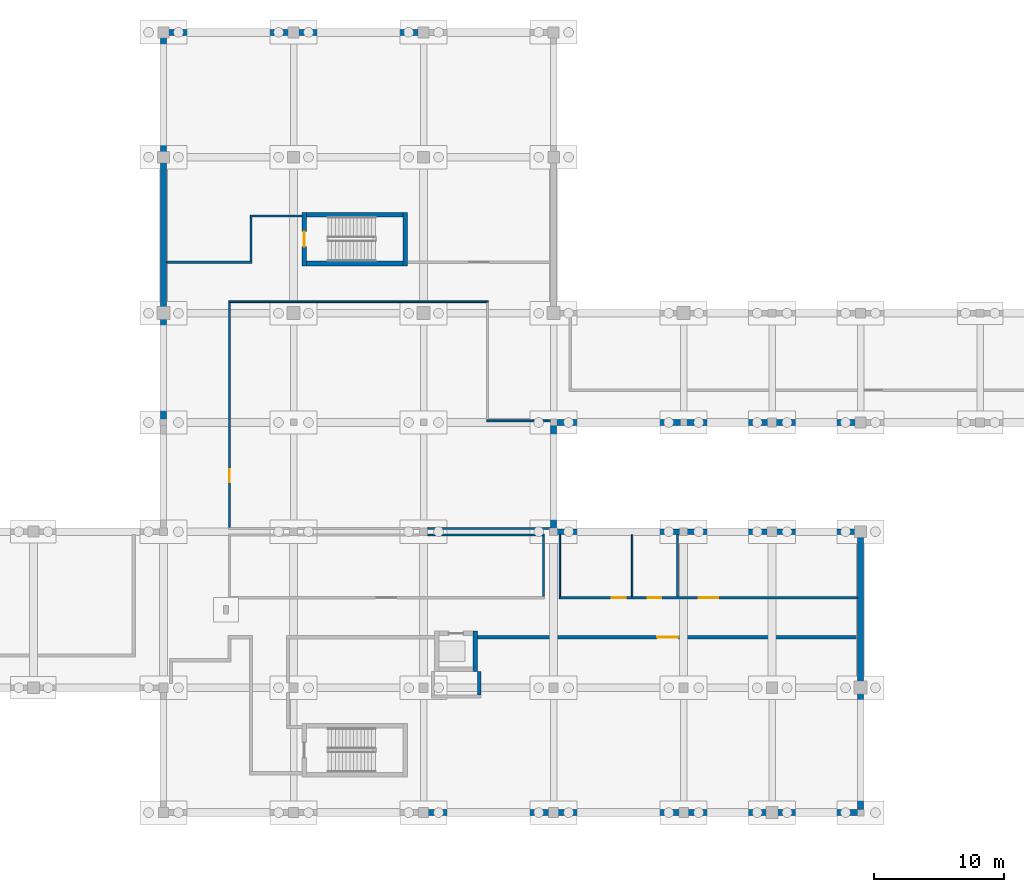
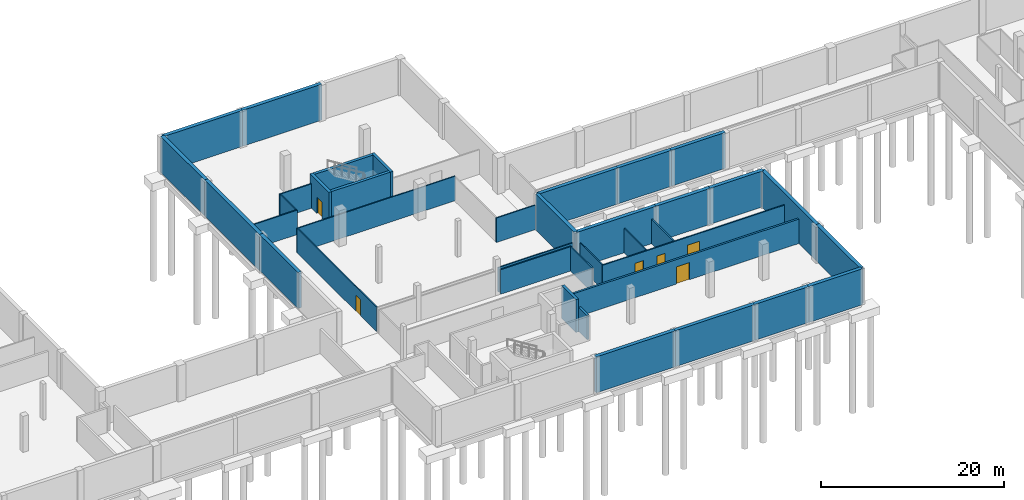
# One storey, part 16 of 28: 38 walls, 6 doors, 6 openings.
"""IFC4 building model written with IfcOpenShell, lengths in metres."""

from ifc_helpers import new_model, si_unit, direction, frame, frame_2d, origin, place, context, subcontext, project, spatial, rectangle, extrude, material, layer, layer_set, type_object, element, fill, save


model = new_model("IFC4")

# Units and contexts
model_context = context("Model", 3, precision=1e-05, world=origin(), true_north=direction((0.0, 1.0)))
body_context = subcontext(model_context, "Body", "Model", "MODEL_VIEW")
ifc_project = project(units=[si_unit("LENGTHUNIT", "METRE"), si_unit("AREAUNIT", "SQUARE_METRE"), si_unit("VOLUMEUNIT", "CUBIC_METRE"), si_unit("PLANEANGLEUNIT", "RADIAN"), si_unit("MASSUNIT", "GRAM", prefix="KILO")], contexts=[model_context])

# Site, building, storey
site_placement = place(None, origin())
site = spatial("IfcSite", under=ifc_project, at=site_placement, CompositionType="ELEMENT")
building_placement = place(site_placement, origin())
building = spatial("IfcBuilding", under=site, at=building_placement, Name="Zereglee Splitstone Museum", CompositionType="ELEMENT")
storey_placement = place(building_placement, frame((0.0, 0.0, -4.800048828125)))
storey = spatial("IfcBuildingStorey", under=building, at=storey_placement, Name="B1", CompositionType="ELEMENT", Elevation=-4.800048828125)

# Walls
ifc_material_1 = material(Name="Concrete C40/50", Category="concrete")
ifc_layer_1 = layer(ifc_material_1, 0.449951171875)
ifc_layer_set_1 = layer_set([ifc_layer_1], Name="Concrete C40/50")
wall_type_1 = type_object("IfcWallType", Name="ESW-01", PredefinedType="SHEAR", material=ifc_layer_set_1)
for number, where, z_axis, x_axis, name in (
    (1, (195.199951171875, 0.0, 0.0), (0.0, 0.0, 1.0), (1.0, 0.0, 0.0), "Basement Perimeter Retaining Wall B1-003"),
    (2, (205.199951171875, 0.0, 0.0), (0.0, 0.0, 1.0), (1.0, 0.0, 0.0), "Basement Perimeter Retaining Wall B1-004"),
):
    element("IfcWall", number, at=place(storey_placement, frame(where, z_axis=z_axis, x_axis=x_axis)), inside=storey, type_object=wall_type_1, Name=name, PredefinedType="SHEAR", context=body_context, shape_type="SweptSolid", body=[
        extrude(rectangle(XDim=10.0, YDim=0.449951171875, at=frame_2d((5.0, 0.0))), origin(), (0.0, 0.0, 1.0), 4.800048828125),
    ])
for number, where, z_axis, x_axis, name in (
    (3, (215.199951171875, 0.0, 0.0), (0.0, 0.0, 1.0), (1.0, 0.0, 0.0), "Basement Perimeter Retaining Wall B1-005"),
    (4, (222.0, 0.0, 0.0), (0.0, 0.0, 1.0), (1.0, 0.0, 0.0), "Basement Perimeter Retaining Wall B1-006"),
):
    element("IfcWall", number, at=place(storey_placement, frame(where, z_axis=z_axis, x_axis=x_axis)), inside=storey, type_object=wall_type_1, Name=name, PredefinedType="SHEAR", context=body_context, shape_type="SweptSolid", body=[
        extrude(rectangle(XDim=6.800048828125, YDim=0.449951171875, at=frame_2d((3.39990234375, 0.0))), origin(), (0.0, 0.0, 1.0), 4.800048828125),
    ])
wall_1_placement = place(storey_placement, frame((228.800048828125, 0.0, 0.0), z_axis=(0.0, 0.0, 1.0), x_axis=(0.0, 1.0, 0.0)))
element("IfcWall", 5, at=wall_1_placement, inside=storey, type_object=wall_type_1, Name="Basement Perimeter Retaining Wall B1-007", PredefinedType="SHEAR", context=body_context, shape_type="SweptSolid", body=[
    extrude(rectangle(XDim=9.60009765625, YDim=0.449951171875, at=frame_2d((4.800048828125, 0.0))), origin(), (0.0, 0.0, 1.0), 4.800048828125),
])
wall_2_placement = place(storey_placement, frame((228.800048828125, 9.60009765625, 0.0), z_axis=(0.0, 0.0, 1.0), x_axis=(0.0, 1.0, 0.0)))
element("IfcWall", 6, at=wall_2_placement, inside=storey, type_object=wall_type_1, Name="Basement Perimeter Retaining Wall B1-008", PredefinedType="SHEAR", context=body_context, shape_type="SweptSolid", body=[
    extrude(rectangle(XDim=12.0, YDim=0.449951171875, at=frame_2d((6.0, 0.0))), origin(), (0.0, 0.0, 1.0), 4.800048828125),
])
for number, where, z_axis, x_axis, name in (
    (7, (228.800048828125, 21.60009765625, 0.0), (0.0, 0.0, 1.0), (-1.0, 0.0, 0.0), "Basement Perimeter Retaining Wall B1-009"),
    (8, (222.0, 21.60009765625, 0.0), (0.0, 0.0, 1.0), (-1.0, 0.0, 0.0), "Basement Perimeter Retaining Wall B1-010"),
):
    element("IfcWall", number, at=place(storey_placement, frame(where, z_axis=z_axis, x_axis=x_axis)), inside=storey, type_object=wall_type_1, Name=name, PredefinedType="SHEAR", context=body_context, shape_type="SweptSolid", body=[
        extrude(rectangle(XDim=6.800048828125, YDim=0.449951171875, at=frame_2d((3.39990234375, 0.0))), origin(), (0.0, 0.0, 1.0), 4.800048828125),
    ])
wall_3_placement = place(storey_placement, frame((215.199951171875, 21.60009765625, 0.0), z_axis=(0.0, 0.0, 1.0), x_axis=(-1.0, 0.0, 0.0)))
element("IfcWall", 9, at=wall_3_placement, inside=storey, type_object=wall_type_1, Name="Basement Perimeter Retaining Wall B1-011", PredefinedType="SHEAR", context=body_context, shape_type="SweptSolid", body=[
    extrude(rectangle(XDim=10.0, YDim=0.449951171875, at=frame_2d((5.0, 0.0))), origin(), (0.0, 0.0, 1.0), 4.800048828125),
])
wall_4_placement = place(storey_placement, frame((205.199951171875, 21.60009765625, 0.0), z_axis=(0.0, 0.0, 1.0), x_axis=(0.0, 1.0, 0.0)))
element("IfcWall", 10, at=wall_4_placement, inside=storey, type_object=wall_type_1, Name="Basement Perimeter Retaining Wall B1-012", PredefinedType="SHEAR", context=body_context, shape_type="SweptSolid", body=[
    extrude(rectangle(XDim=8.39990234375, YDim=0.449951171875, at=frame_2d((4.199951171875, 0.0))), origin(), (0.0, 0.0, 1.0), 4.800048828125),
])
wall_5_placement = place(storey_placement, frame((205.199951171875, 30.0, 0.0), z_axis=(0.0, 0.0, 1.0), x_axis=(1.0, 0.0, 0.0)))
element("IfcWall", 11, at=wall_5_placement, inside=storey, type_object=wall_type_1, Name="Basement Perimeter Retaining Wall B1-013", PredefinedType="SHEAR", context=body_context, shape_type="SweptSolid", body=[
    extrude(rectangle(XDim=10.0, YDim=0.449951171875, at=frame_2d((5.0, 0.0))), origin(), (0.0, 0.0, 1.0), 4.800048828125),
])
for number, where, z_axis, x_axis, name in (
    (12, (215.199951171875, 30.0, 0.0), (0.0, 0.0, 1.0), (1.0, 0.0, 0.0), "Basement Perimeter Retaining Wall B1-014"),
    (13, (222.0, 30.0, 0.0), (0.0, 0.0, 1.0), (1.0, 0.0, 0.0), "Basement Perimeter Retaining Wall B1-015"),
):
    element("IfcWall", number, at=place(storey_placement, frame(where, z_axis=z_axis, x_axis=x_axis)), inside=storey, type_object=wall_type_1, Name=name, PredefinedType="SHEAR", context=body_context, shape_type="SweptSolid", body=[
        extrude(rectangle(XDim=6.800048828125, YDim=0.449951171875, at=frame_2d((3.39990234375, 0.0))), origin(), (0.0, 0.0, 1.0), 4.800048828125),
    ])
for number, where, z_axis, x_axis, name in (
    (14, (195.199951171875, 60.0, 0.0), (0.0, 0.0, 1.0), (-1.0, 0.0, 0.0), "Basement Perimeter Retaining Wall B1-053"),
    (15, (185.199951171875, 60.0, 0.0), (0.0, 0.0, 1.0), (-1.0, 0.0, 0.0), "Basement Perimeter Retaining Wall B1-054"),
):
    element("IfcWall", number, at=place(storey_placement, frame(where, z_axis=z_axis, x_axis=x_axis)), inside=storey, type_object=wall_type_1, Name=name, PredefinedType="SHEAR", context=body_context, shape_type="SweptSolid", body=[
        extrude(rectangle(XDim=10.0, YDim=0.449951171875, at=frame_2d((5.0, 0.0))), origin(), (0.0, 0.0, 1.0), 4.800048828125),
    ])
wall_6_placement = place(storey_placement, frame((175.199951171875, 60.0, 0.0), z_axis=(0.0, 0.0, 1.0), x_axis=(0.0, -1.0, 0.0)))
element("IfcWall", 16, at=wall_6_placement, inside=storey, type_object=wall_type_1, Name="Basement Perimeter Retaining Wall B1-055", PredefinedType="SHEAR", context=body_context, shape_type="SweptSolid", body=[
    extrude(rectangle(XDim=9.60009765625, YDim=0.449951171875, at=frame_2d((4.800048828125, 0.0))), origin(), (0.0, 0.0, 1.0), 4.800048828125),
])
wall_7_placement = place(storey_placement, frame((175.199951171875, 50.39990234375, 0.0), z_axis=(0.0, 0.0, 1.0), x_axis=(0.0, -1.0, 0.0)))
element("IfcWall", 17, at=wall_7_placement, inside=storey, type_object=wall_type_1, Name="Basement Perimeter Retaining Wall B1-056", PredefinedType="SHEAR", context=body_context, shape_type="SweptSolid", body=[
    extrude(rectangle(XDim=12.0, YDim=0.449951171875, at=frame_2d((6.0, 0.0))), origin(), (0.0, 0.0, 1.0), 4.800048828125),
])
wall_8_placement = place(storey_placement, frame((175.199951171875, 38.39990234375, 0.0), z_axis=(0.0, 0.0, 1.0), x_axis=(0.0, -1.0, 0.0)))
element("IfcWall", 18, at=wall_8_placement, inside=storey, type_object=wall_type_1, Name="Basement Perimeter Retaining Wall B1-057", PredefinedType="SHEAR", context=body_context, shape_type="SweptSolid", body=[
    extrude(rectangle(XDim=8.39990234375, YDim=0.449951171875, at=frame_2d((4.199951171875, 0.0))), origin(), (0.0, 0.0, 1.0), 4.800048828125),
])

# Wall, opening, door
ifc_material_2 = material(Name="Concrete C45/55", Category="concrete")
ifc_layer_2 = layer(ifc_material_2, 0.360107421875)
ifc_layer_set_2 = layer_set([ifc_layer_2], Name="Concrete C45/55")
wall_type_2 = type_object("IfcWallType", Name="CSW-02", PredefinedType="SHEAR", material=ifc_layer_set_2)
wall_9_placement = place(storey_placement, frame((186.02001953125, 42.0400390625, 0.0), z_axis=(0.0, 0.0, 1.0), x_axis=(0.0, 1.0, 0.0)))
wall_9 = element("IfcWall", 19, at=wall_9_placement, inside=storey, type_object=wall_type_2, Name="Stair Core Shear Wall ST-07 B1 West", PredefinedType="SHEAR", context=body_context, shape_type="SweptSolid", body=[
    extrude(rectangle(XDim=4.119873046875, YDim=0.360107421875, at=frame_2d((2.06005859375, 0.0))), origin(), (0.0, 0.0, 1.0), 4.380126953125),
])
opening_1_placement = place(wall_9_placement, frame((1.485107421875, 0.0, 0.0)))
opening_1 = element("IfcOpeningElement", 20, at=opening_1_placement, cuts=wall_9, Name="Opening ID-03", PredefinedType="OPENING", context=body_context, shape_type="SweptSolid", body=[
    extrude(rectangle(XDim=1.14990234375, YDim=2.14990234375, at=frame_2d((0.574951171875, 1.074951171875))), frame((0.0, 0.19482421875, 0.0), z_axis=(0.0, -1.0, 0.0), x_axis=(1.0, 0.0, 0.0)), (0.0, 0.0, 1.0), 0.389892578125),
])
ifc_material_3 = material(Name="Fire-rated steel and Siberian larch leaf", Category="steel")
door_type_1 = type_object("IfcDoorType", Name="ID-03", OperationType="NOTDEFINED", PredefinedType="DOOR", material=ifc_material_3)
door_1_placement = place(opening_1_placement, origin())
door_1 = element("IfcDoor", 21, at=door_1_placement, inside=storey, type_object=door_type_1, Name="Protected Stair Fire Door ST-07 B1", OperationType="SINGLE_SWING_LEFT", OverallHeight=2.14990234375, OverallWidth=1.14990234375, PredefinedType="DOOR", context=body_context, shape_type="SweptSolid", body=[
    extrude(rectangle(XDim=1.14990234375, YDim=2.14990234375, at=frame_2d((0.574951171875, 1.074951171875))), frame((0.0, 0.02490234375, 0.0), z_axis=(0.0, -1.0, 0.0), x_axis=(1.0, 0.0, 0.0)), (0.0, 0.0, 1.0), 0.050048828125),
])
fill(opening_1, door_1)

# Walls
wall_10_placement = place(storey_placement, frame((193.780029296875, 42.0400390625, 0.0), z_axis=(0.0, 0.0, 1.0), x_axis=(0.0, 1.0, 0.0)))
element("IfcWall", 22, at=wall_10_placement, inside=storey, type_object=wall_type_2, Name="Stair Core Shear Wall ST-07 B1 East", PredefinedType="SHEAR", context=body_context, shape_type="SweptSolid", body=[
    extrude(rectangle(XDim=4.119873046875, YDim=0.360107421875, at=frame_2d((2.06005859375, 0.0))), origin(), (0.0, 0.0, 1.0), 4.380126953125),
])
for number, where, z_axis, x_axis, name in (
    (23, (186.199951171875, 45.97998046875, 0.0), (0.0, 0.0, 1.0), (1.0, 0.0, 0.0), "Stair Core Shear Wall ST-07 B1 North"),
    (24, (186.199951171875, 42.219970703125, 0.0), (0.0, 0.0, 1.0), (1.0, 0.0, 0.0), "Stair Core Shear Wall ST-07 B1 South"),
):
    element("IfcWall", number, at=place(storey_placement, frame(where, z_axis=z_axis, x_axis=x_axis)), inside=storey, type_object=wall_type_2, Name=name, PredefinedType="SHEAR", context=body_context, shape_type="SweptSolid", body=[
        extrude(rectangle(XDim=7.400146484375, YDim=0.360107421875, at=frame_2d((3.7001953125, 0.0))), origin(), (0.0, 0.0, 1.0), 4.380126953125),
    ])
wall_11_placement = place(storey_placement, frame((199.179931640625, 10.840087890625, 0.0), z_axis=(0.0, 0.0, 1.0), x_axis=(0.0, 1.0, 0.0)))
element("IfcWall", 25, at=wall_11_placement, inside=storey, type_object=wall_type_2, Name="Lift Shaft Wall PL-03 B1 East", PredefinedType="SHEAR", context=body_context, shape_type="SweptSolid", body=[
    extrude(rectangle(XDim=3.119873046875, YDim=0.360107421875, at=frame_2d((1.56005859375, 0.0))), origin(), (0.0, 0.0, 1.0), 4.380126953125),
])

# Wall, opening, door
ifc_layer_3 = layer(ifc_material_1, 0.25)
ifc_layer_set_3 = layer_set([ifc_layer_3], Name="Concrete C40/50")
wall_type_3 = type_object("IfcWallType", Name="IW-03", PredefinedType="PARTITIONING", material=ifc_layer_set_3)
wall_12_placement = place(storey_placement, frame((199.360107421875, 13.47998046875, 0.0), z_axis=(0.0, 0.0, 1.0), x_axis=(1.0, 0.0, 0.0)))
wall_12 = element("IfcWall", 26, at=wall_12_placement, inside=storey, type_object=wall_type_3, Name="Interior Partition B1-0014 (Botanical Herbarium Collection Archive)", PredefinedType="PARTITIONING", context=body_context, shape_type="SweptSolid", body=[
    extrude(rectangle(XDim=29.21484375, YDim=0.25, at=frame_2d((14.607421875, 0.0))), origin(), (0.0, 0.0, 1.0), 3.260009765625),
])
opening_2_placement = place(wall_12_placement, frame((13.8076171875, 0.0, 0.0)))
opening_2 = element("IfcOpeningElement", 27, at=opening_2_placement, cuts=wall_12, Name="Opening ID-05", PredefinedType="OPENING", context=body_context, shape_type="SweptSolid", body=[
    extrude(rectangle(XDim=1.60009765625, YDim=2.300048828125, at=frame_2d((0.800048828125, 1.14990234375))), frame((0.0, 0.139892578125, 0.0), z_axis=(0.0, -1.0, 0.0), x_axis=(1.0, 0.0, 0.0)), (0.0, 0.0, 1.0), 0.27978515625),
])
door_type_2 = type_object("IfcDoorType", Name="ID-05", OperationType="NOTDEFINED", PredefinedType="DOOR", material=ifc_material_3)
door_2_placement = place(opening_2_placement, frame((1.60009765625, 0.0, 0.0), z_axis=(0.0, 0.0, 1.0), x_axis=(-1.0, 0.0, 0.0)))
door_2 = element("IfcDoor", 28, at=door_2_placement, inside=storey, type_object=door_type_2, Name="Interior Door B1-0012 (Botanical Herbarium Collection Archive)", OperationType="DOUBLE_DOOR_SINGLE_SWING", OverallHeight=2.300048828125, OverallWidth=1.60009765625, PredefinedType="DOOR", context=body_context, shape_type="SweptSolid", body=[
    extrude(rectangle(XDim=1.60009765625, YDim=2.300048828125, at=frame_2d((0.800048828125, 1.14990234375))), frame((0.0, 0.02490234375, 0.0), z_axis=(0.0, -1.0, 0.0), x_axis=(1.0, 0.0, 0.0)), (0.0, 0.0, 1.0), 0.050048828125),
])
fill(opening_2, door_2)

# Wall
wall_13_placement = place(storey_placement, frame((199.47998046875, 9.044921875, 0.0), z_axis=(0.0, 0.0, 1.0), x_axis=(0.0, 1.0, 0.0)))
element("IfcWall", 29, at=wall_13_placement, inside=storey, type_object=wall_type_3, Name="Interior Partition B1-0127 (Botanical Herbarium Collection Archive)", PredefinedType="PARTITIONING", context=body_context, shape_type="SweptSolid", body=[
    extrude(rectangle(XDim=1.795166015625, YDim=0.25, at=frame_2d((0.8974609375, 0.0))), origin(), (0.0, 0.0, 1.0), 3.260009765625),
])

# Wall, openings, doors
ifc_material_4 = material(Name="Fire-rated gypsum board partition", Category="masonry")
ifc_layer_4 = layer(ifc_material_4, 0.159912109375)
ifc_layer_set_4 = layer_set([ifc_layer_4], Name="Fire-rated gypsum board partition")
wall_type_4 = type_object("IfcWallType", Name="IW-04", PredefinedType="PARTITIONING", material=ifc_layer_set_4)
wall_14_placement = place(storey_placement, frame((205.6201171875, 16.52001953125, 0.0), z_axis=(0.0, 0.0, 1.0), x_axis=(1.0, 0.0, 0.0)))
wall_14 = element("IfcWall", 30, at=wall_14_placement, inside=storey, type_object=wall_type_4, Name="Interior Partition B1-0023 (Public Washroom)", PredefinedType="PARTITIONING", context=body_context, shape_type="SweptSolid", body=[
    extrude(rectangle(XDim=22.954833984375, YDim=0.159912109375, at=frame_2d((11.4775390625, 0.0))), origin(), (0.0, 0.0, 1.0), 3.260009765625),
])
opening_3_placement = place(wall_14_placement, frame((4.06591796875, 0.0, 0.0)))
opening_3 = element("IfcOpeningElement", 31, at=opening_3_placement, cuts=wall_14, Name="Opening ID-12", PredefinedType="OPENING", context=body_context, shape_type="SweptSolid", body=[
    extrude(rectangle(XDim=1.050048828125, YDim=2.10009765625, at=frame_2d((0.52490234375, 1.050048828125))), frame((0.0, 0.0947265625, 0.0), z_axis=(0.0, -1.0, 0.0), x_axis=(1.0, 0.0, 0.0)), (0.0, 0.0, 1.0), 0.189697265625),
])
opening_4_placement = place(wall_14_placement, frame((6.820556640625, 0.0, 0.0)))
opening_4 = element("IfcOpeningElement", 32, at=opening_4_placement, cuts=wall_14, Name="Opening ID-12", PredefinedType="OPENING", context=body_context, shape_type="SweptSolid", body=[
    extrude(rectangle(XDim=1.050048828125, YDim=2.10009765625, at=frame_2d((0.52490234375, 1.050048828125))), frame((0.0, 0.0947265625, 0.0), z_axis=(0.0, -1.0, 0.0), x_axis=(1.0, 0.0, 0.0)), (0.0, 0.0, 1.0), 0.189697265625),
])
opening_5_placement = place(wall_14_placement, frame((10.7275390625, 0.0, 0.0)))
opening_5 = element("IfcOpeningElement", 33, at=opening_5_placement, cuts=wall_14, Name="Opening ID-07", PredefinedType="OPENING", context=body_context, shape_type="SweptSolid", body=[
    extrude(rectangle(XDim=1.5, YDim=2.199951171875, at=frame_2d((0.75, 1.10009765625))), frame((0.0, 0.0947265625, 0.0), z_axis=(0.0, -1.0, 0.0), x_axis=(1.0, 0.0, 0.0)), (0.0, 0.0, 1.0), 0.189697265625),
])
ifc_material_5 = material(Name="Siberian larch acoustic timber leaf in bronze-steel frame", Category="steel")
door_type_3 = type_object("IfcDoorType", Name="ID-12", OperationType="NOTDEFINED", PredefinedType="DOOR", material=ifc_material_5)
door_3_placement = place(opening_3_placement, origin())
door_3 = element("IfcDoor", 34, at=door_3_placement, inside=storey, type_object=door_type_3, Name="Interior Door B1-0001 (Public Washroom)", OperationType="SINGLE_SWING_RIGHT", OverallHeight=2.10009765625, OverallWidth=1.050048828125, PredefinedType="DOOR", context=body_context, shape_type="SweptSolid", body=[
    extrude(rectangle(XDim=1.050048828125, YDim=2.10009765625, at=frame_2d((0.52490234375, 1.050048828125))), frame((0.0, 0.02490234375, 0.0), z_axis=(0.0, -1.0, 0.0), x_axis=(1.0, 0.0, 0.0)), (0.0, 0.0, 1.0), 0.050048828125),
])
fill(opening_3, door_3)
door_4_placement = place(opening_4_placement, origin())
door_4 = element("IfcDoor", 35, at=door_4_placement, inside=storey, type_object=door_type_3, Name="Interior Door B1-0002 (Accessible Toilet)", OperationType="SINGLE_SWING_LEFT", OverallHeight=2.10009765625, OverallWidth=1.050048828125, PredefinedType="DOOR", context=body_context, shape_type="SweptSolid", body=[
    extrude(rectangle(XDim=1.050048828125, YDim=2.10009765625, at=frame_2d((0.52490234375, 1.050048828125))), frame((0.0, 0.02490234375, 0.0), z_axis=(0.0, -1.0, 0.0), x_axis=(1.0, 0.0, 0.0)), (0.0, 0.0, 1.0), 0.050048828125),
])
fill(opening_4, door_4)
door_type_4 = type_object("IfcDoorType", Name="ID-07", OperationType="NOTDEFINED", PredefinedType="DOOR", material=ifc_material_3)
door_5_placement = place(opening_5_placement, origin())
door_5 = element("IfcDoor", 36, at=door_5_placement, inside=storey, type_object=door_type_4, Name="Interior Door B1-0014 (Paleobotany Specimen Preparation Room)", OperationType="DOUBLE_DOOR_SINGLE_SWING", OverallHeight=2.199951171875, OverallWidth=1.5, PredefinedType="DOOR", context=body_context, shape_type="SweptSolid", body=[
    extrude(rectangle(XDim=1.5, YDim=2.199951171875, at=frame_2d((0.75, 1.10009765625))), frame((0.0, 0.02490234375, 0.0), z_axis=(0.0, -1.0, 0.0), x_axis=(1.0, 0.0, 0.0)), (0.0, 0.0, 1.0), 0.050048828125),
])
fill(opening_5, door_5)

# Walls
wall_15_placement = place(storey_placement, frame((195.5, 21.360107421875, 0.0), z_axis=(0.0, 0.0, 1.0), x_axis=(1.0, 0.0, 0.0)))
element("IfcWall", 37, at=wall_15_placement, inside=storey, type_object=wall_type_4, Name="Interior Partition B1-0036 (Organic Artefact Conservation Laboratory)", PredefinedType="PARTITIONING", context=body_context, shape_type="SweptSolid", body=[
    extrude(rectangle(XDim=9.0, YDim=0.159912109375, at=frame_2d((4.5, 0.0))), origin(), (0.0, 0.0, 1.0), 3.260009765625),
])
wall_16_placement = place(storey_placement, frame((175.425048828125, 42.320068359375, 0.0), z_axis=(0.0, 0.0, 1.0), x_axis=(1.0, 0.0, 0.0)))
element("IfcWall", 38, at=wall_16_placement, inside=storey, type_object=wall_type_4, Name="Interior Partition B1-0061 (X-Ray Fluorescence Conservation Laboratory)", PredefinedType="PARTITIONING", context=body_context, shape_type="SweptSolid", body=[
    extrude(rectangle(XDim=6.574951171875, YDim=0.159912109375, at=frame_2d((3.28759765625, 0.0))), origin(), (0.0, 0.0, 1.0), 3.260009765625),
])
wall_17_placement = place(storey_placement, frame((181.840087890625, 45.8798828125, 0.0), z_axis=(0.0, 0.0, 1.0), x_axis=(1.0, 0.0, 0.0)))
element("IfcWall", 39, at=wall_17_placement, inside=storey, type_object=wall_type_4, Name="Interior Partition B1-0067 (X-Ray Fluorescence Conservation Laboratory)", PredefinedType="PARTITIONING", context=body_context, shape_type="SweptSolid", body=[
    extrude(rectangle(XDim=4.0, YDim=0.159912109375, at=frame_2d((2.0, 0.0))), origin(), (0.0, 0.0, 1.0), 3.260009765625),
])
wall_18_placement = place(storey_placement, frame((181.919921875, 42.39990234375, 0.0), z_axis=(0.0, 0.0, 1.0), x_axis=(0.0, 1.0, 0.0)))
element("IfcWall", 40, at=wall_18_placement, inside=storey, type_object=wall_type_4, Name="Interior Partition B1-0123 (X-Ray Fluorescence Conservation Laboratory)", PredefinedType="PARTITIONING", context=body_context, shape_type="SweptSolid", body=[
    extrude(rectangle(XDim=3.400146484375, YDim=0.159912109375, at=frame_2d((1.7001953125, 0.0))), origin(), (0.0, 0.0, 1.0), 3.260009765625),
])
wall_19_placement = place(storey_placement, frame((204.419921875, 16.60009765625, 0.0), z_axis=(0.0, 0.0, 1.0), x_axis=(0.0, 1.0, 0.0)))
element("IfcWall", 41, at=wall_19_placement, inside=storey, type_object=wall_type_4, Name="Interior Partition B1-0129 (Organic Artefact Conservation Laboratory)", PredefinedType="PARTITIONING", context=body_context, shape_type="SweptSolid", body=[
    extrude(rectangle(XDim=4.679931640625, YDim=0.159912109375, at=frame_2d((2.33984375, 0.0))), origin(), (0.0, 0.0, 1.0), 3.260009765625),
])
wall_20_placement = place(storey_placement, frame((214.719970703125, 16.60009765625, 0.0), z_axis=(0.0, 0.0, 1.0), x_axis=(0.0, 1.0, 0.0)))
element("IfcWall", 42, at=wall_20_placement, inside=storey, type_object=wall_type_4, Name="Interior Partition B1-0133 (Accessible Toilet)", PredefinedType="PARTITIONING", context=body_context, shape_type="SweptSolid", body=[
    extrude(rectangle(XDim=4.77490234375, YDim=0.159912109375, at=frame_2d((2.387451171875, 0.0))), origin(), (0.0, 0.0, 1.0), 3.260009765625),
])
ifc_layer_5 = layer(ifc_material_4, 0.139892578125)
ifc_layer_set_5 = layer_set([ifc_layer_5], Name="Fire-rated gypsum board partition")
wall_type_5 = type_object("IfcWallType", Name="IW-05", PredefinedType="PARTITIONING", material=ifc_layer_set_5)
wall_21_placement = place(storey_placement, frame((195.5, 21.840087890625, 0.0), z_axis=(0.0, 0.0, 1.0), x_axis=(1.0, 0.0, 0.0)))
element("IfcWall", 43, at=wall_21_placement, inside=storey, type_object=wall_type_5, Name="Interior Partition B1-0039 (Curatorial Specimen Study Room)", PredefinedType="PARTITIONING", context=body_context, shape_type="SweptSolid", body=[
    extrude(rectangle(XDim=9.47509765625, YDim=0.139892578125, at=frame_2d((4.737548828125, 0.0))), origin(), (0.0, 0.0, 1.0), 3.260009765625),
])
wall_22_placement = place(storey_placement, frame((200.050048828125, 30.1201171875, 0.0), z_axis=(0.0, 0.0, 1.0), x_axis=(1.0, 0.0, 0.0)))
element("IfcWall", 44, at=wall_22_placement, inside=storey, type_object=wall_type_5, Name="Interior Partition B1-0044 (Curatorial Specimen Study Room)", PredefinedType="PARTITIONING", context=body_context, shape_type="SweptSolid", body=[
    extrude(rectangle(XDim=4.925048828125, YDim=0.139892578125, at=frame_2d((2.46240234375, 0.0))), origin(), (0.0, 0.0, 1.0), 3.260009765625),
])
wall_23_placement = place(storey_placement, frame((180.2099609375, 39.280029296875, 0.0), z_axis=(0.0, 0.0, 1.0), x_axis=(1.0, 0.0, 0.0)))
element("IfcWall", 45, at=wall_23_placement, inside=storey, type_object=wall_type_5, Name="Interior Partition B1-0060 (Curatorial Specimen Study Room)", PredefinedType="PARTITIONING", context=body_context, shape_type="SweptSolid", body=[
    extrude(rectangle(XDim=19.97998046875, YDim=0.139892578125, at=frame_2d((9.989990234375, 0.0))), origin(), (0.0, 0.0, 1.0), 3.260009765625),
])

# Wall, opening, door
wall_24_placement = place(storey_placement, frame((180.280029296875, 21.909912109375, 0.0), z_axis=(0.0, 0.0, 1.0), x_axis=(0.0, 1.0, 0.0)))
wall_24 = element("IfcWall", 46, at=wall_24_placement, inside=storey, type_object=wall_type_5, Name="Interior Partition B1-0121 (Curatorial Specimen Study Room)", PredefinedType="PARTITIONING", context=body_context, shape_type="SweptSolid", body=[
    extrude(rectangle(XDim=17.300048828125, YDim=0.139892578125, at=frame_2d((8.64990234375, 0.0))), origin(), (0.0, 0.0, 1.0), 3.260009765625),
])
opening_6_placement = place(wall_24_placement, frame((3.47900390625, 0.0, 0.0)))
opening_6 = element("IfcOpeningElement", 47, at=opening_6_placement, cuts=wall_24, Name="Opening ID-10", PredefinedType="OPENING", context=body_context, shape_type="SweptSolid", body=[
    extrude(rectangle(XDim=1.0, YDim=2.14990234375, at=frame_2d((0.5, 1.074951171875))), frame((0.0, 0.0849609375, 0.0), z_axis=(0.0, -1.0, 0.0), x_axis=(1.0, 0.0, 0.0)), (0.0, 0.0, 1.0), 0.169677734375),
])
door_type_5 = type_object("IfcDoorType", Name="ID-10", OperationType="NOTDEFINED", PredefinedType="DOOR", material=ifc_material_5)
door_6_placement = place(opening_6_placement, frame((1.0, 0.0, 0.0), z_axis=(0.0, 0.0, 1.0), x_axis=(-1.0, 0.0, 0.0)))
door_6 = element("IfcDoor", 48, at=door_6_placement, inside=storey, type_object=door_type_5, Name="Interior Door B1-0015 (Curatorial Specimen Study Room)", OperationType="SINGLE_SWING_RIGHT", OverallHeight=2.14990234375, OverallWidth=1.0, PredefinedType="DOOR", context=body_context, shape_type="SweptSolid", body=[
    extrude(rectangle(XDim=1.0, YDim=2.14990234375, at=frame_2d((0.5, 1.074951171875))), frame((0.0, 0.02490234375, 0.0), z_axis=(0.0, -1.0, 0.0), x_axis=(1.0, 0.0, 0.0)), (0.0, 0.0, 1.0), 0.050048828125),
])
fill(opening_6, door_6)

# Walls
ifc_material_6 = material(Name="Moisture-resistant tile and gypsum partition", Category="masonry")
ifc_layer_6 = layer(ifc_material_6, 0.1201171875)
ifc_layer_set_6 = layer_set([ifc_layer_6], Name="Moisture-resistant tile and gypsum partition")
wall_type_6 = type_object("IfcWallType", Name="IW-06", PredefinedType="PARTITIONING", material=ifc_layer_set_6)
for number, where, z_axis, x_axis, name in (
    (49, (205.679931640625, 16.60009765625, 0.0), (0.0, 0.0, 1.0), (0.0, 1.0, 0.0), "Interior Partition B1-0130 (Public Washroom)"),
    (50, (211.239990234375, 16.60009765625, 0.0), (0.0, 0.0, 1.0), (0.0, 1.0, 0.0), "Interior Partition B1-0132 (Public Washroom)"),
):
    element("IfcWall", number, at=place(storey_placement, frame(where, z_axis=z_axis, x_axis=x_axis)), inside=storey, type_object=wall_type_6, Name=name, PredefinedType="PARTITIONING", context=body_context, shape_type="SweptSolid", body=[
        extrude(rectangle(XDim=4.77490234375, YDim=0.1201171875, at=frame_2d((2.387451171875, 0.0))), origin(), (0.0, 0.0, 1.0), 3.260009765625),
    ])

save(model, "model.ifc")
